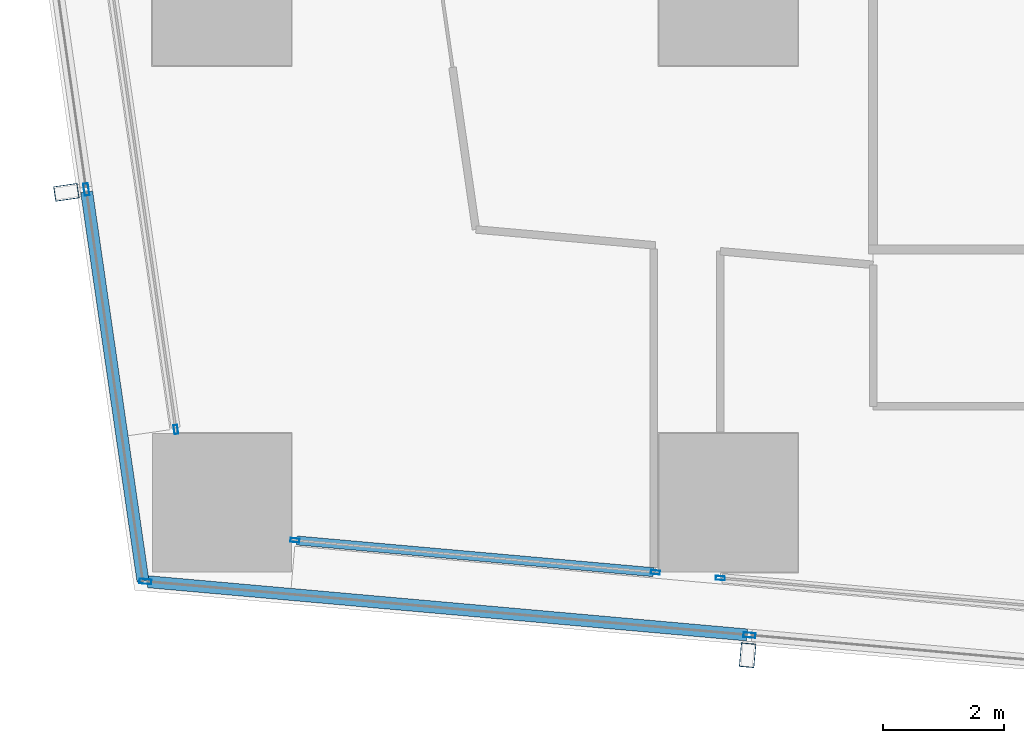
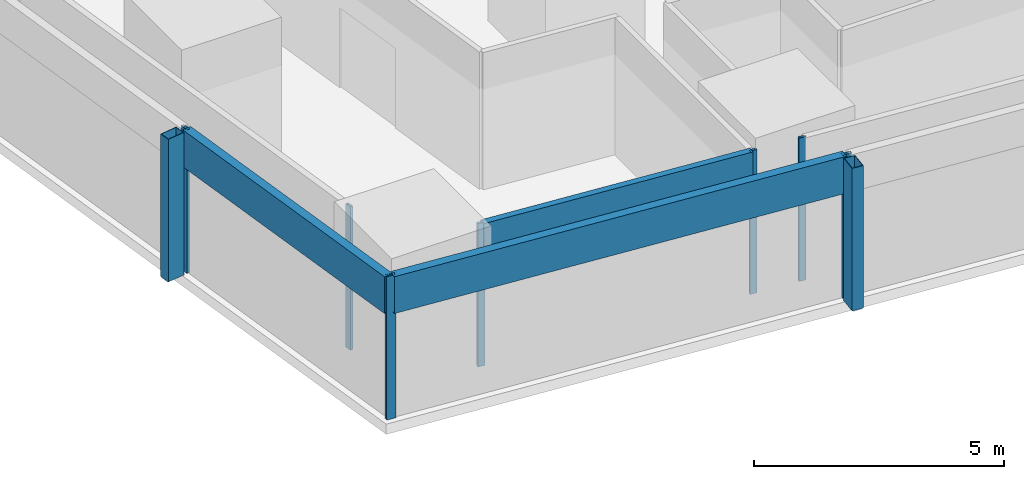
# One storey, part 2 of 32: 12 members, 5 elements without a shape of their own.
"""IFC4 building model written with IfcOpenShell, lengths in metres."""

from ifc_helpers import new_model, si_unit, direction, frame, origin, origin_2d, place, context, subcontext, project, spatial, hollow_rectangle, extrude, material, material_profile, profile_set, type_object, element, aggregate, save


model = new_model("IFC4")

# Units and contexts
model_context = context("Model", 3, precision=1e-05, world=origin(), true_north=direction((0.0, 1.0)))
body_context = subcontext(model_context, "Body", "Model", "MODEL_VIEW")
ifc_project = project(units=[si_unit("LENGTHUNIT", "METRE"), si_unit("AREAUNIT", "SQUARE_METRE"), si_unit("VOLUMEUNIT", "CUBIC_METRE"), si_unit("PLANEANGLEUNIT", "RADIAN"), si_unit("MASSUNIT", "GRAM", prefix="KILO")], contexts=[model_context])

# Site, building, storey
site_placement = place(None, origin())
site = spatial("IfcSite", under=ifc_project, at=site_placement, CompositionType="ELEMENT")
building_placement = place(site_placement, origin())
building = spatial("IfcBuilding", under=site, at=building_placement, Name="Rekha Terrace Tower", CompositionType="ELEMENT")
storey_placement = place(building_placement, frame((0.0, 0.0, 250.10009765625)))
storey = spatial("IfcBuildingStorey", under=building, at=storey_placement, Name="L63", CompositionType="ELEMENT", Elevation=250.10009765625)

# Curtain wall, member
ifc_material_1 = material(Name="Aluminium framing", Category="aluminium")
curtain_wall_type_1 = type_object("IfcCurtainWallType", Name="CW2 double skin outer glazing", PredefinedType="USERDEFINED", material=ifc_material_1)
curtain_wall_1_placement = place(storey_placement, origin())
curtain_wall_1 = element("IfcCurtainWall", 1, at=curtain_wall_1_placement, inside=storey, type_object=curtain_wall_type_1, Name="CW2 double skin outer glazing", ObjectType="DOUBLE SKIN OUTER GLAZING", PredefinedType="USERDEFINED")
ifc_material_2 = material(Name="Steel S355 with fluorocarbon finish", Category="steel")
ifc_material_profile_1 = material_profile(ifc_material_2, hollow_rectangle(XDim=0.25, YDim=0.39990234375, WallThickness=0.012451171875, at=origin_2d()), Name="RHS400x250x12.5")
ifc_profile_set_1 = profile_set([ifc_material_profile_1], Name="Steel S355 with fluorocarbon finish")
member_type_1 = type_object("IfcMemberType", Name="BL1 facade blade RHS 400 x 250", PredefinedType="USERDEFINED", material=ifc_profile_set_1)
member_1_placement = place(storey_placement, frame((17.118896484375, 14.2705078125, 0.02001953125), z_axis=(0.0, 0.0, 1.0), x_axis=(0.996074197996, -0.088522268879, 0.0)))
member_1 = element("IfcMember", 2, at=member_1_placement, type_object=member_type_1, Name="Facade blade", ObjectType="FACADE BLADE", PredefinedType="USERDEFINED", context=body_context, shape_type="SweptSolid", body=[
    extrude(hollow_rectangle(XDim=0.25, YDim=0.39990234375, WallThickness=0.012451171875, at=origin_2d()), origin(), (0.0, 0.0, 1.0), 3.47998046875),
])

curtain_wall_2_placement = place(storey_placement, origin())
curtain_wall_2 = element("IfcCurtainWall", 3, at=curtain_wall_2_placement, inside=storey, type_object=curtain_wall_type_1, Name="CW2 double skin outer glazing", ObjectType="DOUBLE SKIN OUTER GLAZING", PredefinedType="USERDEFINED")
member_2_placement = place(storey_placement, frame((5.819091796875, 21.94873046875, 0.02001953125), z_axis=(0.0, 0.0, 1.0), x_axis=(0.143109157841, -0.989706910627, 0.0)))
member_2 = element("IfcMember", 4, at=member_2_placement, type_object=member_type_1, Name="Facade blade", ObjectType="FACADE BLADE", PredefinedType="USERDEFINED", context=body_context, shape_type="SweptSolid", body=[
    extrude(hollow_rectangle(XDim=0.25, YDim=0.39990234375, WallThickness=0.012451171875, at=origin_2d()), origin(), (0.0, 0.0, 1.0), 3.47998046875),
])

# Curtain wall, members
curtain_wall_type_2 = type_object("IfcCurtainWallType", Name="CW1 double skin inner glazing", PredefinedType="USERDEFINED", material=ifc_material_1)
curtain_wall_3_placement = place(storey_placement, origin())
curtain_wall_3 = element("IfcCurtainWall", 5, at=curtain_wall_3_placement, inside=storey, type_object=curtain_wall_type_2, Name="CW1 double skin inner glazing", ObjectType="DOUBLE SKIN INNER GLAZING", PredefinedType="USERDEFINED")
ifc_material_3 = material(Name="Aluminium mullion section", Category="aluminium")
ifc_material_profile_2 = material_profile(ifc_material_3, hollow_rectangle(XDim=0.06494140625, YDim=0.14990234375, WallThickness=0.00390625, at=origin_2d()), Name="AL RHS 65x150")
ifc_profile_set_2 = profile_set([ifc_material_profile_2], Name="Aluminium mullion section")
member_type_2 = type_object("IfcMemberType", Name="CW1 mullion RHS 65 x 150", PredefinedType="MULLION", material=ifc_profile_set_2)
member_3_placement = place(storey_placement, frame((9.610595703125, 16.177734375, 0.0), z_axis=(0.0, 0.0, 1.0), x_axis=(0.088522441492, 0.996074182655, 0.0)))
member_3 = element("IfcMember", 6, at=member_3_placement, type_object=member_type_2, Name="CW1 mullion 1", PredefinedType="MULLION", context=body_context, shape_type="SweptSolid", body=[
    extrude(hollow_rectangle(XDim=0.06494140625, YDim=0.14990234375, WallThickness=0.00390625, at=origin_2d()), origin(), (0.0, 0.0, 1.0), 3.5),
])
member_4_placement = place(storey_placement, frame((15.58935546875, 15.646484375, 0.0), z_axis=(0.0, 0.0, 1.0), x_axis=(0.088522441492, 0.996074182655, 0.0)))
member_4 = element("IfcMember", 7, at=member_4_placement, type_object=member_type_2, Name="CW1 mullion 2", PredefinedType="MULLION", context=body_context, shape_type="SweptSolid", body=[
    extrude(hollow_rectangle(XDim=0.06494140625, YDim=0.14990234375, WallThickness=0.00390625, at=origin_2d()), origin(), (0.0, 0.0, 1.0), 3.5),
])

# Curtain wall, member
curtain_wall_4_placement = place(storey_placement, origin())
curtain_wall_4 = element("IfcCurtainWall", 8, at=curtain_wall_4_placement, inside=storey, type_object=curtain_wall_type_2, Name="CW1 double skin inner glazing", ObjectType="DOUBLE SKIN INNER GLAZING", PredefinedType="USERDEFINED")
member_5_placement = place(storey_placement, frame((16.665771484375, 15.55078125, 0.0), z_axis=(0.0, 0.0, 1.0), x_axis=(0.088522441405, 0.996074182663, 0.0)))
member_5 = element("IfcMember", 9, at=member_5_placement, type_object=member_type_2, Name="CW1 mullion 1", PredefinedType="MULLION", context=body_context, shape_type="SweptSolid", body=[
    extrude(hollow_rectangle(XDim=0.06494140625, YDim=0.14990234375, WallThickness=0.00390625, at=origin_2d()), origin(), (0.0, 0.0, 1.0), 3.5),
])
aggregate(curtain_wall_4, [member_5])

curtain_wall_5_placement = place(storey_placement, origin())
curtain_wall_5 = element("IfcCurtainWall", 10, at=curtain_wall_5_placement, inside=storey, type_object=curtain_wall_type_2, Name="CW1 double skin inner glazing", ObjectType="DOUBLE SKIN INNER GLAZING", PredefinedType="USERDEFINED")
member_6_placement = place(storey_placement, frame((7.635498046875, 18.015625, 0.0), z_axis=(0.0, 0.0, 1.0), x_axis=(0.989707031396, 0.143108322626, 0.0)))
member_6 = element("IfcMember", 11, at=member_6_placement, type_object=member_type_2, Name="CW1 mullion 2", PredefinedType="MULLION", context=body_context, shape_type="SweptSolid", body=[
    extrude(hollow_rectangle(XDim=0.06494140625, YDim=0.14990234375, WallThickness=0.00390625, at=origin_2d()), origin(), (0.0, 0.0, 1.0), 3.5),
])
aggregate(curtain_wall_5, [member_6])

# Member
ifc_material_4 = material(Name="Insulated aluminium spandrel box", Category="aluminium")
ifc_material_profile_3 = material_profile(ifc_material_4, hollow_rectangle(XDim=0.14990234375, YDim=0.89990234375, WallThickness=0.0029296875, at=origin_2d()), Name="AL SPANDREL BOX 150x900")
ifc_profile_set_3 = profile_set([ifc_material_profile_3], Name="Insulated aluminium spandrel box")
member_type_3 = type_object("IfcMemberType", Name="CW1 spandrel transom 150 x 900", PredefinedType="USERDEFINED", material=ifc_profile_set_3)
member_7_placement = place(storey_placement, frame((9.64306640625, 16.1748046875, 3.0498046875), z_axis=(0.996073204801, -0.088533443832, 0.0), x_axis=(0.088533443832, 0.996073204801, 0.0)))
member_7 = element("IfcMember", 12, at=member_7_placement, type_object=member_type_3, Name="CW1 spandrel transom 1", ObjectType="TRANSOM", PredefinedType="USERDEFINED", context=body_context, shape_type="SweptSolid", body=[
    extrude(hollow_rectangle(XDim=0.14990234375, YDim=0.89990234375, WallThickness=0.0029296875, at=origin_2d()), origin(), (0.0, 0.0, 1.0), 5.93701171875),
])

aggregate(curtain_wall_3, [member_3, member_4, member_7])

ifc_material_profile_4 = material_profile(ifc_material_3, hollow_rectangle(XDim=0.080078125, YDim=0.199951171875, WallThickness=0.00390625, at=origin_2d()), Name="AL RHS 80x200")
ifc_profile_set_4 = profile_set([ifc_material_profile_4], Name="Aluminium mullion section")
member_type_4 = type_object("IfcMemberType", Name="CW2 mullion RHS 80 x 200", PredefinedType="MULLION", material=ifc_profile_set_4)
member_8_placement = place(storey_placement, frame((7.130126953125, 15.49462890625, 0.0), z_axis=(0.0, 0.0, 1.0), x_axis=(0.088522441457, 0.996074182658, 0.0)))
member_8 = element("IfcMember", 13, at=member_8_placement, type_object=member_type_4, Name="CW2 mullion 1", PredefinedType="MULLION", context=body_context, shape_type="SweptSolid", body=[
    extrude(hollow_rectangle(XDim=0.080078125, YDim=0.199951171875, WallThickness=0.00390625, at=origin_2d()), origin(), (0.0, 0.0, 1.0), 3.5),
])

member_9_placement = place(storey_placement, frame((17.1484375, 14.604248046875, 0.0), z_axis=(0.0, 0.0, 1.0), x_axis=(0.088522441457, 0.996074182658, 0.0)))
member_9 = element("IfcMember", 14, at=member_9_placement, type_object=member_type_4, Name="CW2 mullion 2", PredefinedType="MULLION", context=body_context, shape_type="SweptSolid", body=[
    extrude(hollow_rectangle(XDim=0.080078125, YDim=0.199951171875, WallThickness=0.00390625, at=origin_2d()), origin(), (0.0, 0.0, 1.0), 3.5),
])

member_10_placement = place(storey_placement, frame((6.150634765625, 21.99658203125, 0.0), z_axis=(0.0, 0.0, 1.0), x_axis=(0.989707031389, 0.143108322678, 0.0)))
member_10 = element("IfcMember", 15, at=member_10_placement, type_object=member_type_4, Name="CW2 mullion 2", PredefinedType="MULLION", context=body_context, shape_type="SweptSolid", body=[
    extrude(hollow_rectangle(XDim=0.080078125, YDim=0.199951171875, WallThickness=0.00390625, at=origin_2d()), origin(), (0.0, 0.0, 1.0), 3.5),
])

ifc_material_profile_5 = material_profile(ifc_material_4, hollow_rectangle(XDim=0.199951171875, YDim=0.89990234375, WallThickness=0.0029296875, at=origin_2d()), Name="AL SPANDREL BOX 200x900")
ifc_profile_set_5 = profile_set([ifc_material_profile_5], Name="Insulated aluminium spandrel box")
member_type_5 = type_object("IfcMemberType", Name="CW2 spandrel transom 200 x 900", PredefinedType="USERDEFINED", material=ifc_profile_set_5)
member_11_placement = place(storey_placement, frame((7.169921875, 15.490966796875, 3.0498046875), z_axis=(0.996076044645, -0.088501487472, 0.0), x_axis=(0.088501487472, 0.996076044645, 0.0)))
member_11 = element("IfcMember", 16, at=member_11_placement, type_object=member_type_5, Name="CW2 spandrel transom 1", ObjectType="TRANSOM", PredefinedType="USERDEFINED", context=body_context, shape_type="SweptSolid", body=[
    extrude(hollow_rectangle(XDim=0.199951171875, YDim=0.89990234375, WallThickness=0.0029296875, at=origin_2d()), origin(), (0.0, 0.0, 1.0), 9.977783203125),
])

aggregate(curtain_wall_1, [member_8, member_9, member_11, member_1])

member_12_placement = place(storey_placement, frame((6.15625, 21.95703125, 3.0498046875), z_axis=(0.143128512687, -0.989704111771, 0.0), x_axis=(0.989704111771, 0.143128512687, 0.0)))
member_12 = element("IfcMember", 17, at=member_12_placement, type_object=member_type_5, Name="CW2 spandrel transom 2", ObjectType="TRANSOM", PredefinedType="USERDEFINED", context=body_context, shape_type="SweptSolid", body=[
    extrude(hollow_rectangle(XDim=0.199951171875, YDim=0.89990234375, WallThickness=0.0029296875, at=origin_2d()), origin(), (0.0, 0.0, 1.0), 6.526123046875),
])

aggregate(curtain_wall_2, [member_10, member_12, member_2])

save(model, "model.ifc")
